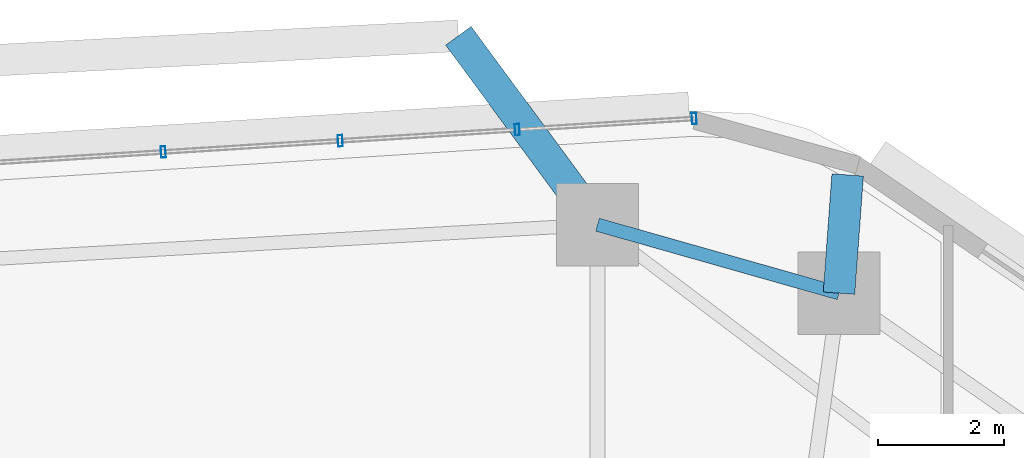
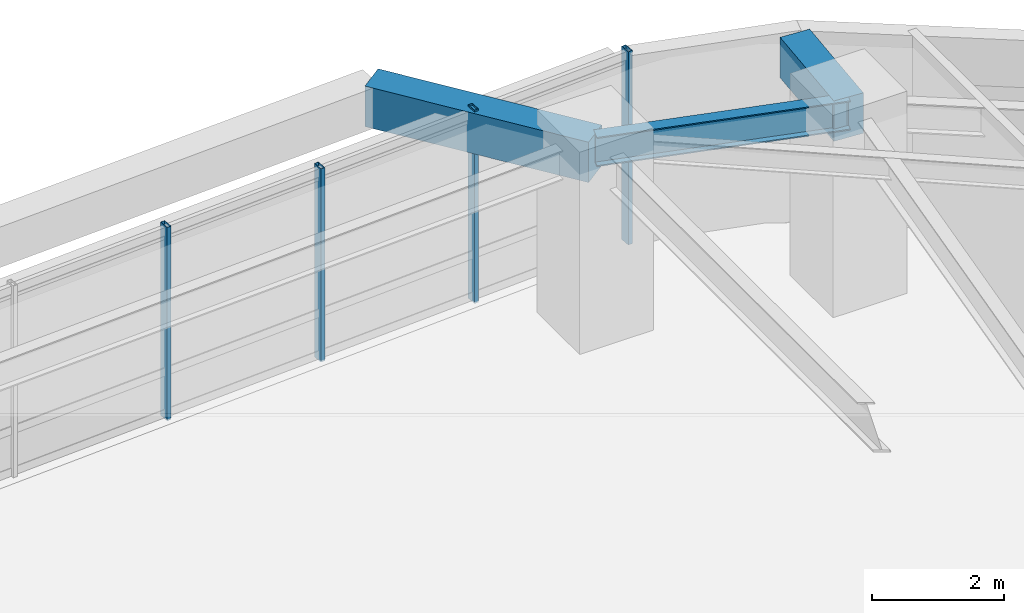
# One storey, part 4 of 11: 4 members, 3 beams, 1 element without a shape of its own.
"""IFC4 building model written with IfcOpenShell, lengths in metres."""

import ifcopenshell
import ifcopenshell.guid

model = None  # the IFC model being written
_history = None  # IfcOwnerHistory: only IFC2X3 demands one
_inside = {}  # id of a spatial element -> (the spatial element, [elements in it])
_under = {}  # id of a project, library or spatial element -> (it, [spatial elements below it])
_declared = {}  # id of a project -> (the project, [libraries it declares])
_typed = {}  # id of a type object -> (the type object, [elements of that type])
_made_of = {}  # id of a material, layer set ... -> (it, [elements and type objects made of it])


def new_model(schema):
    """Start an empty IFC model of exactly this schema.

    Asked for "IFC4X3", IfcOpenShell would pick the latest addendum, in which some entities
    have other attributes; the version numbers below select the first issue.
    IFC2X3 requires an IfcOwnerHistory on every rooted entity: one is made here for all.
    """
    global model, _history
    if schema == "IFC4X3":
        model = ifcopenshell.file(schema_version=(4, 3, 0, 0))
    else:
        model = ifcopenshell.file(schema=schema)
    _inside.clear()
    _under.clear()
    _declared.clear()
    _typed.clear()
    _made_of.clear()
    _history = None
    if model.schema == "IFC2X3":
        org = make("IfcOrganization", Name="unknown")
        user = make(
            "IfcPersonAndOrganization",
            ThePerson=make("IfcPerson", FamilyName="unknown"),
            TheOrganization=org,
        )
        app = make(
            "IfcApplication",
            ApplicationDeveloper=org,
            Version="unknown",
            ApplicationFullName="unknown",
            ApplicationIdentifier="unknown",
        )
        _history = make(
            "IfcOwnerHistory",
            OwningUser=user,
            OwningApplication=app,
            ChangeAction="ADDED",
            CreationDate=0,
        )
    return model


def make(cls, **values):
    """One entity of the class cls with the attributes given. An attribute that is None is left unset."""
    return model.create_entity(
        cls, **{name: value for name, value in values.items() if value is not None}
    )


def rooted(cls, **values):
    """An entity with a GlobalId (a new one), such as an element, a storey or a relation."""
    return make(cls, GlobalId=ifcopenshell.guid.new(), OwnerHistory=_history, **values)


def si_unit(unit_type, name, prefix=None):
    """IfcSIUnit, for example si_unit("LENGTHUNIT", "METRE", prefix="MILLI")."""
    return make("IfcSIUnit", UnitType=unit_type, Prefix=prefix, Name=name)


def assignment(units):
    """IfcUnitAssignment: the units of a project."""
    return None if units is None else make("IfcUnitAssignment", Units=units)


def point(xyz):
    """IfcCartesianPoint."""
    return None if xyz is None else make("IfcCartesianPoint", Coordinates=xyz)


def direction(xyz):
    """IfcDirection."""
    return None if xyz is None else make("IfcDirection", DirectionRatios=xyz)


def frame(location, z_axis=None, x_axis=None):
    """IfcAxis2Placement3D, a coordinate frame: its origin and axes. An axis left out is left unset."""
    return make(
        "IfcAxis2Placement3D",
        Location=point(location),
        Axis=direction(z_axis),
        RefDirection=direction(x_axis),
    )


def frame_2d(location, x_axis=None):
    """IfcAxis2Placement2D, a coordinate frame in the plane: its origin and x axis."""
    return make(
        "IfcAxis2Placement2D", Location=point(location), RefDirection=direction(x_axis)
    )


def origin():
    """The frame at (0, 0, 0) with its axes left unset."""
    return frame((0.0, 0.0, 0.0))


def origin_2d():
    """The frame at (0, 0) in the plane with its x axis left unset."""
    return frame_2d((0.0, 0.0))


def place(relative_to, where):
    """IfcLocalPlacement: puts the frame where relative to a parent placement (None: the world)."""
    return make(
        "IfcLocalPlacement", PlacementRelTo=relative_to, RelativePlacement=where
    )


def context(
    kind, dimensions, precision=None, world=None, true_north=None, identifier=None
):
    """IfcGeometricRepresentationContext, for example the 3D "Model" context."""
    return make(
        "IfcGeometricRepresentationContext",
        ContextIdentifier=identifier,
        ContextType=kind,
        CoordinateSpaceDimension=dimensions,
        Precision=precision,
        WorldCoordinateSystem=world,
        TrueNorth=true_north,
    )


def subcontext(parent, identifier, kind, view, scale=None):
    """IfcGeometricRepresentationSubContext, for example "Body" below "Model"."""
    return make(
        "IfcGeometricRepresentationSubContext",
        ContextIdentifier=identifier,
        ContextType=kind,
        ParentContext=parent,
        TargetScale=scale,
        TargetView=view,
    )


def project(units=None, contexts=None):
    """IfcProject with its units and contexts."""
    return rooted(
        "IfcProject",
        Name="project",
        RepresentationContexts=contexts,
        UnitsInContext=assignment(units),
    )


def spatial(cls, under=None, at=None, **own):
    """A site, building, storey or space (cls), placed at a placement, below another one or the project."""
    s = rooted(cls, ObjectPlacement=at, **own)
    if under is not None:
        _under.setdefault(under.id(), (under, []))[1].append(s)
    return s


def profile(cls, at=None, kind="AREA", **sizes):
    """A parametric profile (cls). Its sizes go by their IFC names, for example OverallWidth=200.0."""
    return make(cls, ProfileType=kind, Position=at, **sizes)


def rectangle(**sizes):
    """IfcRectangleProfileDef."""
    return profile("IfcRectangleProfileDef", **sizes)


def hollow_rectangle(**sizes):
    """IfcRectangleHollowProfileDef."""
    return profile("IfcRectangleHollowProfileDef", **sizes)


def i_section(**sizes):
    """IfcIShapeProfileDef."""
    return profile("IfcIShapeProfileDef", **sizes)


def extrude(swept, where, along, depth):
    """IfcExtrudedAreaSolid: the profile swept, set in the frame where, extruded along a direction by depth."""
    return make(
        "IfcExtrudedAreaSolid",
        SweptArea=swept,
        Position=where,
        ExtrudedDirection=direction(along),
        Depth=depth,
    )


def shape(context_of_items, identifier, shape_type, items):
    """IfcShapeRepresentation: the items that make up one representation, for example the "Body"."""
    return make(
        "IfcShapeRepresentation",
        ContextOfItems=context_of_items,
        RepresentationIdentifier=identifier,
        RepresentationType=shape_type,
        Items=items,
    )


def material(Name=None, Category=None):
    """IfcMaterial."""
    return make("IfcMaterial", Name=Name, Category=Category)


def material_profile(
    of_material, cross_section, Name=None, Category=None, Priority=None
):
    """IfcMaterialProfile: a cross section and its material."""
    return make(
        "IfcMaterialProfile",
        Name=Name,
        Material=of_material,
        Profile=cross_section,
        Priority=Priority,
        Category=Category,
    )


def profile_set(profiles, Name=None, composite=None):
    """IfcMaterialProfileSet."""
    return make(
        "IfcMaterialProfileSet",
        Name=Name,
        MaterialProfiles=profiles,
        CompositeProfile=composite,
    )


def made_of(thing, what):
    """Note that an element or type object is made of a material, layer set ...; save() writes the relation."""
    if what is not None:
        _made_of.setdefault(what.id(), (what, []))[1].append(thing)
    return thing


def type_object(cls, material=None, **own):
    """A type object (cls), such as IfcWallType, which elements share."""
    return made_of(rooted(cls, **own), material)


def element(
    cls,
    number,
    at=None,
    inside=None,
    cuts=None,
    type_object=None,
    material=None,
    context=None,
    identifier="Body",
    shape_type=None,
    held_by="IfcProductDefinitionShape",
    body=None,
    shapes=None,
    **own,
):
    """One element of the class cls, such as IfcWall. Its Tag is "e" and its number.

    at: its placement. inside: the storey or other place that contains it. cuts: it is an
    opening in that element (IfcRelVoidsElement). A single representation is given by context,
    identifier, shape_type and body (its items); several are given by shapes. held_by: the class
    of the entity that holds the representations. save() writes the other relations.
    """
    e = rooted(cls, Tag="e%d" % number, ObjectPlacement=at, **own)
    if body is not None:
        shapes = [shape(context, identifier, shape_type, body)]
    if shapes is not None:
        e.Representation = make(held_by, Representations=shapes)
    if inside is not None:
        _inside.setdefault(inside.id(), (inside, []))[1].append(e)
    if cuts is not None:
        rooted(
            "IfcRelVoidsElement", RelatingBuildingElement=cuts, RelatedOpeningElement=e
        )
    if type_object is not None:
        _typed.setdefault(type_object.id(), (type_object, []))[1].append(e)
    return made_of(e, material)


def aggregate(whole, parts):
    """IfcRelAggregates: a whole, such as a stair, and the parts it consists of."""
    return rooted("IfcRelAggregates", RelatingObject=whole, RelatedObjects=parts)


def save(model, path):
    """Write the relations noted so far, then the file.

    IfcRelAggregates (storeys below a building ...), IfcRelContainedInSpatialStructure (elements
    in a storey), IfcRelDefinesByType, IfcRelAssociatesMaterial and IfcRelDeclares: one each for
    every whole, place, type object, material and project.
    """
    for whole, parts in _under.values():
        aggregate(whole, parts)
    for where, things in _inside.values():
        rooted(
            "IfcRelContainedInSpatialStructure",
            RelatedElements=things,
            RelatingStructure=where,
        )
    for kind, things in _typed.values():
        rooted("IfcRelDefinesByType", RelatedObjects=things, RelatingType=kind)
    for what, things in _made_of.values():
        rooted("IfcRelAssociatesMaterial", RelatedObjects=things, RelatingMaterial=what)
    for by, libraries in _declared.values():
        rooted("IfcRelDeclares", RelatingContext=by, RelatedDefinitions=libraries)
    model.write(path)


model = new_model("IFC4")

# Units and contexts
model_context = context("Model", 3, precision=1e-05, world=origin(), true_north=direction((0.0, 1.0)))
body_context = subcontext(model_context, "Body", "Model", "MODEL_VIEW")
ifc_project = project(units=[si_unit("LENGTHUNIT", "METRE"), si_unit("AREAUNIT", "SQUARE_METRE"), si_unit("VOLUMEUNIT", "CUBIC_METRE"), si_unit("PLANEANGLEUNIT", "RADIAN"), si_unit("MASSUNIT", "GRAM", prefix="KILO")], contexts=[model_context])

# Site, building, storey
site_placement = place(None, origin())
site = spatial("IfcSite", under=ifc_project, at=site_placement, CompositionType="ELEMENT")
building_placement = place(site_placement, origin())
building = spatial("IfcBuilding", under=site, at=building_placement, Name="Zulverin Broadcast Headquarters", CompositionType="ELEMENT")
storey_placement = place(building_placement, frame((0.0, 0.0, 32.60009765625)))
storey = spatial("IfcBuildingStorey", under=building, at=storey_placement, Name="L07", CompositionType="ELEMENT", Elevation=32.60009765625)

# Beams
ifc_material_1 = material(Name="Concrete C40/50", Category="concrete")
ifc_material_profile_1 = material_profile(ifc_material_1, rectangle(XDim=0.5, YDim=0.75, at=origin_2d()), Name="Concrete C40/50", Category="concrete")
ifc_profile_set_1 = profile_set([ifc_material_profile_1], Name="Concrete C40/50")
beam_type_1 = type_object("IfcBeamType", Name="BM-RC-500x750", PredefinedType="BEAM", material=ifc_profile_set_1)
beam_1_placement = place(storey_placement, frame((50.121826171875, 46.325927734375, 3.14990234375), z_axis=(0.073023006252, 0.997330256514, 0.0), x_axis=(-0.997330256514, 0.073023006252, 0.0)))
element("IfcBeam", 1, at=beam_1_placement, inside=storey, type_object=beam_type_1, Name="L08 Plate Overhang Back-Spanned Beam OVR-08", PredefinedType="BEAM", context=body_context, shape_type="SweptSolid", body=[
    extrude(rectangle(XDim=0.5, YDim=0.75, at=origin_2d()), origin(), (0.0, 0.0, 1.0), 1.875732421875),
])
beam_2_placement = place(storey_placement, frame((46.30224609375, 47.4091796875, 3.14990234375), z_axis=(-0.592976836996, 0.805219517142, 0.0), x_axis=(-0.805219517142, -0.592976836996, 0.0)))
element("IfcBeam", 2, at=beam_2_placement, inside=storey, type_object=beam_type_1, Name="L08 Balcony Column-Framed Cantilever BAL_N-1", PredefinedType="BEAM", context=body_context, shape_type="SweptSolid", body=[
    extrude(rectangle(XDim=0.5, YDim=0.75, at=origin_2d()), origin(), (0.0, 0.0, 1.0), 3.7109375),
])
ifc_material_2 = material(Name="Structural steel S355JR", Category="steel")
ifc_material_profile_2 = material_profile(ifc_material_2, i_section(OverallWidth=0.2119140625, OverallDepth=0.54443359375, WebThickness=0.0126953125, FlangeThickness=0.021240234375, at=origin_2d()), Name="Structural steel S355JR", Category="steel")
ifc_profile_set_2 = profile_set([ifc_material_profile_2], Name="Structural steel S355JR")
beam_type_2 = type_object("IfcBeamType", Name="BM-UB-533", PredefinedType="SPANDREL", material=ifc_profile_set_2)
beam_3_placement = place(storey_placement, frame((50.121826171875, 46.325927734375, 3.252685546875), z_axis=(-0.962058150721, 0.272844487999, 0.0), x_axis=(-0.272844487999, -0.962058150721, 0.0)))
element("IfcBeam", 3, at=beam_3_placement, inside=storey, type_object=beam_type_2, Name="L07 Perimeter Spandrel Beam SP-08", PredefinedType="SPANDREL", context=body_context, shape_type="SweptSolid", body=[
    extrude(i_section(OverallWidth=0.2119140625, OverallDepth=0.54443359375, WebThickness=0.0126953125, FlangeThickness=0.021240234375, at=origin_2d()), origin(), (0.0, 0.0, 1.0), 3.97021484375),
])

# Curtain wall, members
ifc_material_3 = material(Name="Low-zone ribbon unitised curtain wall", Category="aluminium")
curtain_wall_type = type_object("IfcCurtainWallType", Name="CW-TWR-LOW", PredefinedType="USERDEFINED", material=ifc_material_3)
curtain_wall_placement = place(storey_placement, origin())
curtain_wall = element("IfcCurtainWall", 4, at=curtain_wall_placement, inside=storey, type_object=curtain_wall_type, Name="L07 Unitised Curtain Wall CW-L07-E5", ObjectType="UNITISED CURTAIN WALL", PredefinedType="USERDEFINED")
ifc_material_4 = material(Name="Anodized pale-metal aluminium alloy 6063-T6", Category="aluminium")
ifc_material_profile_3 = material_profile(ifc_material_4, hollow_rectangle(XDim=0.074951171875, YDim=0.179931640625, WallThickness=0.0048828125, at=origin_2d()), Name="Anodized pale-metal aluminium alloy 6063-T6", Category="aluminium")
ifc_profile_set_3 = profile_set([ifc_material_profile_3], Name="Anodized pale-metal aluminium alloy 6063-T6")
member_type = type_object("IfcMemberType", Name="CW-MUL-180", PredefinedType="MULLION", material=ifc_profile_set_3)
member_1_placement = place(storey_placement, frame((47.83056640625, 49.08935546875, -0.030029296875), z_axis=(0.0, 0.0, 1.0), x_axis=(-0.998017621976, -0.062935095345, 0.0)))
member_1 = element("IfcMember", 5, at=member_1_placement, type_object=member_type, Name="CW-L07-E5 Mullion 00", PredefinedType="MULLION", context=body_context, shape_type="SweptSolid", body=[
    extrude(hollow_rectangle(XDim=0.074951171875, YDim=0.179931640625, WallThickness=0.0048828125, at=origin_2d()), origin(), (0.0, 0.0, 1.0), 3.5849609375),
])
member_2_placement = place(storey_placement, frame((45.031982421875, 48.912841796875, -0.030029296875), z_axis=(0.0, 0.0, 1.0), x_axis=(-0.998017621976, -0.062935095345, 0.0)))
member_2 = element("IfcMember", 6, at=member_2_placement, type_object=member_type, Name="CW-L07-E5 Mullion 01", PredefinedType="MULLION", context=body_context, shape_type="SweptSolid", body=[
    extrude(hollow_rectangle(XDim=0.074951171875, YDim=0.179931640625, WallThickness=0.0048828125, at=origin_2d()), origin(), (0.0, 0.0, 1.0), 3.5849609375),
])
member_3_placement = place(storey_placement, frame((42.233154296875, 48.736328125, -0.030029296875), z_axis=(0.0, 0.0, 1.0), x_axis=(-0.998017621976, -0.062935095345, 0.0)))
member_3 = element("IfcMember", 7, at=member_3_placement, type_object=member_type, Name="CW-L07-E5 Mullion 02", PredefinedType="MULLION", context=body_context, shape_type="SweptSolid", body=[
    extrude(hollow_rectangle(XDim=0.074951171875, YDim=0.179931640625, WallThickness=0.0048828125, at=origin_2d()), origin(), (0.0, 0.0, 1.0), 3.5849609375),
])
member_4_placement = place(storey_placement, frame((39.4345703125, 48.559814453125, -0.030029296875), z_axis=(0.0, 0.0, 1.0), x_axis=(-0.998017621976, -0.062935095345, 0.0)))
member_4 = element("IfcMember", 8, at=member_4_placement, type_object=member_type, Name="CW-L07-E5 Mullion 03", PredefinedType="MULLION", context=body_context, shape_type="SweptSolid", body=[
    extrude(hollow_rectangle(XDim=0.074951171875, YDim=0.179931640625, WallThickness=0.0048828125, at=origin_2d()), origin(), (0.0, 0.0, 1.0), 3.5849609375),
])
aggregate(curtain_wall, [member_1, member_2, member_3, member_4])

save(model, "model.ifc")
